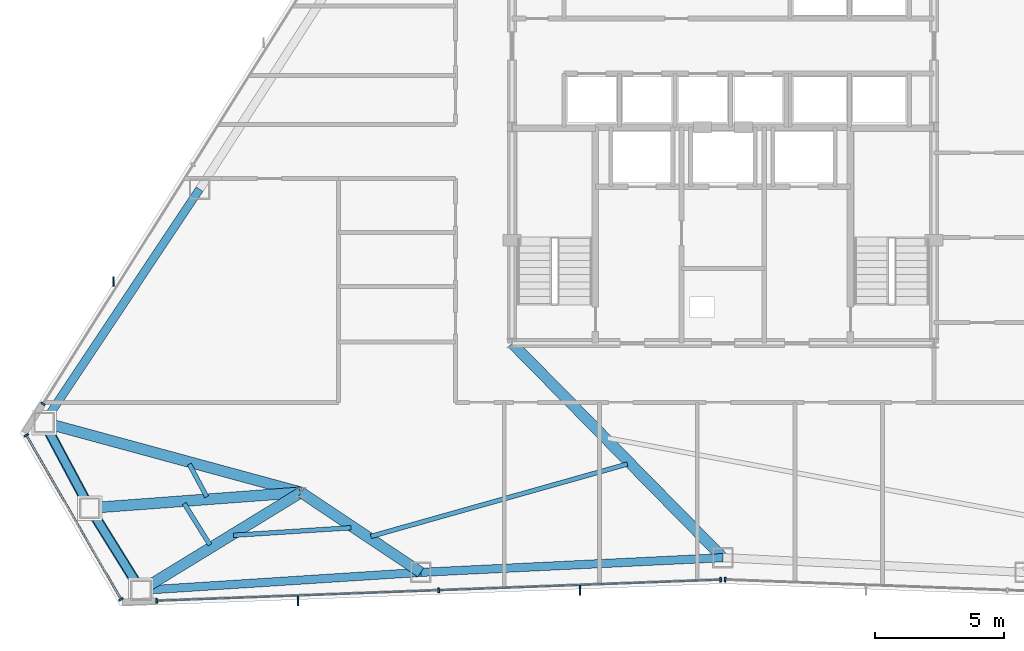
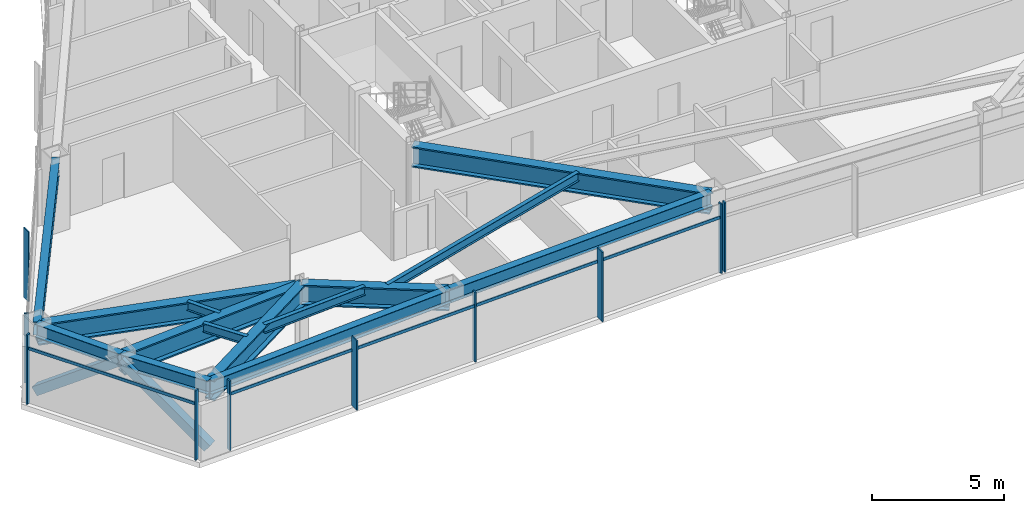
# One storey, part 3 of 13: 14 beams, 14 members, 4 elements without a shape of their own.
"""IFC4 building model written with IfcOpenShell, lengths in metres."""

from ifc_helpers import new_model, si_unit, direction, frame, origin, origin_2d, place, context, subcontext, project, spatial, rectangle, hollow_rectangle, i_section, extrude, source, transform, mapped, material, layer, layer_set, material_profile, profile_set, type_object, type_shapes, element, aggregate, save


model = new_model("IFC4")

# Units and contexts
model_context = context("Model", 3, precision=1e-05, world=origin(), true_north=direction((0.0, 1.0)))
body_context = subcontext(model_context, "Body", "Model", "MODEL_VIEW")
ifc_project = project(units=[si_unit("LENGTHUNIT", "METRE"), si_unit("AREAUNIT", "SQUARE_METRE"), si_unit("VOLUMEUNIT", "CUBIC_METRE"), si_unit("PLANEANGLEUNIT", "RADIAN"), si_unit("MASSUNIT", "GRAM", prefix="KILO")], contexts=[model_context])

# Site, building, storey
site_placement = place(None, origin())
site = spatial("IfcSite", under=ifc_project, at=site_placement, CompositionType="ELEMENT")
building_placement = place(site_placement, origin())
building = spatial("IfcBuilding", under=site, at=building_placement, Name="Varakhsha Concourse Tower", CompositionType="ELEMENT")
storey_placement = place(building_placement, frame((0.0, 0.0, 175.800048828125)))
storey = spatial("IfcBuildingStorey", under=building, at=storey_placement, Name="L50", CompositionType="ELEMENT", Elevation=175.800048828125)

# Beams
ifc_material_1 = material(Name="Structural Steel ASTM A992 Grade 50", Category="steel")
ifc_material_profile_1 = material_profile(ifc_material_1, i_section(OverallWidth=0.177978515625, OverallDepth=0.406982421875, WebThickness=0.008056640625, FlangeThickness=0.012939453125, at=origin_2d()), Name="W16X40")
ifc_profile_set_1 = profile_set([ifc_material_profile_1], Name="Structural Steel ASTM A992 Grade 50")
beam_type_1 = type_object("IfcBeamType", Name="BM-JST-W16X40", PredefinedType="JOIST", material=ifc_profile_set_1)
beam_1_placement = place(storey_placement, frame((19.25732421875, 11.697265625, 3.00634765625), z_axis=(0.471425078209, -0.881906114978, 0.0), x_axis=(0.881906114978, 0.471425078209, 0.0)))
element("IfcBeam", 1, at=beam_1_placement, inside=storey, type_object=beam_type_1, Name="BM-TJST-L50-07", PredefinedType="JOIST", context=body_context, shape_type="SweptSolid", body=[
    extrude(i_section(OverallWidth=0.177978515625, OverallDepth=0.406982421875, WebThickness=0.008056640625, FlangeThickness=0.012939453125, at=origin_2d()), origin(), (0.0, 0.0, 1.0), 1.438232421875),
])
beam_2_placement = place(storey_placement, frame((19.059814453125, 10.165283203125, 3.00634765625), z_axis=(0.528105315956, -0.849178882957, 0.0), x_axis=(0.849178882957, 0.528105315956, 0.0)))
element("IfcBeam", 2, at=beam_2_placement, inside=storey, type_object=beam_type_1, Name="BM-TJST-L50-08", PredefinedType="JOIST", context=body_context, shape_type="SweptSolid", body=[
    extrude(i_section(OverallWidth=0.177978515625, OverallDepth=0.406982421875, WebThickness=0.008056640625, FlangeThickness=0.012939453125, at=origin_2d()), origin(), (0.0, 0.0, 1.0), 1.890380859375),
])
beam_3_placement = place(storey_placement, frame((20.972412109375, 8.930908203125, 3.00634765625), z_axis=(0.997934587168, 0.064238304264, 0.0), x_axis=(-0.064238304264, 0.997934587168, 0.0)))
element("IfcBeam", 3, at=beam_3_placement, inside=storey, type_object=beam_type_1, Name="BM-TJST-L50-09", PredefinedType="JOIST", context=body_context, shape_type="SweptSolid", body=[
    extrude(i_section(OverallWidth=0.177978515625, OverallDepth=0.406982421875, WebThickness=0.008056640625, FlangeThickness=0.012939453125, at=origin_2d()), origin(), (0.0, 0.0, 1.0), 4.575927734375),
])
beam_4_placement = place(storey_placement, frame((26.31298828125, 8.888671875, 3.00634765625), z_axis=(0.962479186496, 0.271355515076, 0.0), x_axis=(-0.271355515076, 0.962479186496, 0.0)))
element("IfcBeam", 4, at=beam_4_placement, inside=storey, type_object=beam_type_1, Name="BM-TJST-L50-10", PredefinedType="JOIST", context=body_context, shape_type="SweptSolid", body=[
    extrude(i_section(OverallWidth=0.177978515625, OverallDepth=0.406982421875, WebThickness=0.008056640625, FlangeThickness=0.012939453125, at=origin_2d()), origin(), (0.0, 0.0, 1.0), 10.36181640625),
])
ifc_material_profile_2 = material_profile(ifc_material_1, i_section(OverallWidth=0.423095703125, OverallDepth=0.947998046875, WebThickness=0.0380859375, FlangeThickness=0.06396484375, at=origin_2d()), Name="W36X302")
ifc_profile_set_2 = profile_set([ifc_material_profile_2], Name="Structural Steel ASTM A992 Grade 50")
beam_type_2 = type_object("IfcBeamType", Name="BM-OUTR-W36X302", PredefinedType="USERDEFINED", material=ifc_profile_set_2)
beam_5_placement = place(storey_placement, frame((23.60009765625, 10.60009765625, 2.73583984375), z_axis=(-0.965004562858, 0.262233090327, 0.0), x_axis=(-0.262233090327, -0.965004562858, 0.0)))
element("IfcBeam", 5, at=beam_5_placement, inside=storey, type_object=beam_type_2, Name="L50 Radial Floor Girder 07", ObjectType="GIRDER", PredefinedType="USERDEFINED", context=body_context, shape_type="SweptSolid", body=[
    extrude(i_section(OverallWidth=0.423095703125, OverallDepth=0.947998046875, WebThickness=0.0380859375, FlangeThickness=0.06396484375, at=origin_2d()), origin(), (0.0, 0.0, 1.0), 10.35009765625),
])
beam_6_placement = place(storey_placement, frame((23.60009765625, 10.60009765625, 2.73583984375), z_axis=(-0.99725755111, -0.074009301804, 0.0), x_axis=(0.074009301804, -0.99725755111, 0.0)))
element("IfcBeam", 6, at=beam_6_placement, inside=storey, type_object=beam_type_2, Name="L50 Radial Floor Girder 08", ObjectType="GIRDER", PredefinedType="USERDEFINED", context=body_context, shape_type="SweptSolid", body=[
    extrude(i_section(OverallWidth=0.423095703125, OverallDepth=0.947998046875, WebThickness=0.0380859375, FlangeThickness=0.06396484375, at=origin_2d()), origin(), (0.0, 0.0, 1.0), 8.233642578125),
])
beam_7_placement = place(storey_placement, frame((23.60009765625, 10.60009765625, 2.73583984375), z_axis=(-0.852809936367, -0.522221420888, 0.0), x_axis=(0.522221420888, -0.852809936367, 0.0)))
element("IfcBeam", 7, at=beam_7_placement, inside=storey, type_object=beam_type_2, Name="L50 Radial Floor Girder 09", ObjectType="GIRDER", PredefinedType="USERDEFINED", context=body_context, shape_type="SweptSolid", body=[
    extrude(i_section(OverallWidth=0.423095703125, OverallDepth=0.947998046875, WebThickness=0.0380859375, FlangeThickness=0.06396484375, at=origin_2d()), origin(), (0.0, 0.0, 1.0), 7.294921875),
])
beam_8_placement = place(storey_placement, frame((23.60009765625, 10.60009765625, 2.73583984375), z_axis=(0.83158036055, -0.555404450782, 0.0), x_axis=(0.555404450782, 0.83158036055, 0.0)))
element("IfcBeam", 8, at=beam_8_placement, inside=storey, type_object=beam_type_2, Name="L50 Radial Floor Girder 10", ObjectType="GIRDER", PredefinedType="USERDEFINED", context=body_context, shape_type="SweptSolid", body=[
    extrude(i_section(OverallWidth=0.423095703125, OverallDepth=0.947998046875, WebThickness=0.0380859375, FlangeThickness=0.06396484375, at=origin_2d()), origin(), (0.0, 0.0, 1.0), 5.598388671875),
])
beam_9_placement = place(storey_placement, frame((31.800048828125, 16.39990234375, 2.73583984375), z_axis=(0.701153218292, -0.713010634197, 0.0), x_axis=(0.713010634197, 0.701153218292, 0.0)))
element("IfcBeam", 9, at=beam_9_placement, inside=storey, type_object=beam_type_2, Name="L50 Radial Floor Girder 11", ObjectType="GIRDER", PredefinedType="USERDEFINED", context=body_context, shape_type="SweptSolid", body=[
    extrude(i_section(OverallWidth=0.423095703125, OverallDepth=0.947998046875, WebThickness=0.0380859375, FlangeThickness=0.06396484375, at=origin_2d()), origin(), (0.0, 0.0, 1.0), 11.695068359375),
])
ifc_material_profile_3 = material_profile(ifc_material_1, i_section(OverallWidth=0.323974609375, OverallDepth=0.611083984375, WebThickness=0.012939453125, FlangeThickness=0.01904296875, at=origin_2d()), Name="W24X104")
ifc_profile_set_3 = profile_set([ifc_material_profile_3], Name="Structural Steel ASTM A992 Grade 50")
beam_type_3 = type_object("IfcBeamType", Name="BM-SPAN-W24X104", PredefinedType="SPANDREL", material=ifc_profile_set_3)
beam_10_placement = place(storey_placement, frame((19.6572265625, 22.383544921875, 2.904541015625), z_axis=(-0.554617486764, -0.832105428041, 0.0), x_axis=(0.832105428041, -0.554617486764, 0.0)))
element("IfcBeam", 10, at=beam_10_placement, inside=storey, type_object=beam_type_3, Name="BM-SPAN-L50-06", PredefinedType="SPANDREL", context=body_context, shape_type="SweptSolid", body=[
    extrude(i_section(OverallWidth=0.323974609375, OverallDepth=0.611083984375, WebThickness=0.012939453125, FlangeThickness=0.01904296875, at=origin_2d()), origin(), (0.0, 0.0, 1.0), 10.899169921875),
])
for number, where, z_axis, x_axis, name in (
    (11, (13.6123046875, 13.314208984375, 2.904541015625), (0.471432003262, -0.881902413139, 0.0), (0.881902413139, 0.471432003262, 0.0), "BM-SPAN-L50-07"),
    (12, (15.388916015625, 9.99072265625, 2.904541015625), (0.528064197342, -0.849204453289, 0.0), (0.849204453289, 0.528064197342, 0.0), "BM-SPAN-L50-08"),
):
    element("IfcBeam", number, at=place(storey_placement, frame(where, z_axis=z_axis, x_axis=x_axis)), inside=storey, type_object=beam_type_3, Name=name, PredefinedType="SPANDREL", context=body_context, shape_type="SweptSolid", body=[
        extrude(i_section(OverallWidth=0.323974609375, OverallDepth=0.611083984375, WebThickness=0.012939453125, FlangeThickness=0.01904296875, at=origin_2d()), origin(), (0.0, 0.0, 1.0), 3.7685546875),
    ])
beam_11_placement = place(storey_placement, frame((17.37890625, 6.79052734375, 2.904541015625), z_axis=(0.997934305556, 0.064242678915, 0.0), x_axis=(-0.064242678915, 0.997934305556, 0.0)))
element("IfcBeam", 13, at=beam_11_placement, inside=storey, type_object=beam_type_3, Name="BM-SPAN-L50-09", PredefinedType="SPANDREL", context=body_context, shape_type="SweptSolid", body=[
    extrude(i_section(OverallWidth=0.323974609375, OverallDepth=0.611083984375, WebThickness=0.012939453125, FlangeThickness=0.01904296875, at=origin_2d()), origin(), (0.0, 0.0, 1.0), 10.899169921875),
])
beam_12_placement = place(storey_placement, frame((28.255615234375, 7.49072265625, 2.904541015625), z_axis=(0.998822016856, 0.048524000694, 0.0), x_axis=(-0.048524000694, 0.998822016856, 0.0)))
element("IfcBeam", 14, at=beam_12_placement, inside=storey, type_object=beam_type_3, Name="BM-SPAN-L50-10", PredefinedType="SPANDREL", context=body_context, shape_type="SweptSolid", body=[
    extrude(i_section(OverallWidth=0.323974609375, OverallDepth=0.611083984375, WebThickness=0.012939453125, FlangeThickness=0.01904296875, at=origin_2d()), origin(), (0.0, 0.0, 1.0), 11.75830078125),
])

# Members
ifc_material_2 = material(Name="Structural Steel ASTM A500 Grade C", Category="steel")
ifc_material_profile_4 = material_profile(ifc_material_2, hollow_rectangle(XDim=0.39990234375, YDim=0.39990234375, WallThickness=0.01611328125, at=origin_2d()), Name="HSS 400x400x16")
ifc_profile_set_4 = profile_set([ifc_material_profile_4], Name="Structural Steel ASTM A500 Grade C")
member_type_1 = type_object("IfcMemberType", Name="MB-TUBE-HSS400", PredefinedType="BRACE", material=ifc_profile_set_4)
shared_shape_1 = source(origin(), body_context, "Body", "SweptSolid", [
    extrude(hollow_rectangle(XDim=0.39990234375, YDim=0.39990234375, WallThickness=0.01611328125, at=origin_2d()), origin(), (0.0, 0.0, 1.0), 4.68896484375),
])
type_shapes(member_type_1, [shared_shape_1])
for number, where, z_axis, x_axis, name in (
    (15, (13.6123046875, 13.314208984375, 0.119873046875), (0.378893427331, -0.708791566066, 0.595024610079), (0.881902413139, 0.471432003262, 0.0), "L50 Wind-Corner Tube Brace B03"),
    (16, (17.37890625, 6.79052734375, 0.119873046875), (-0.424405981571, 0.682506883381, 0.595032702416), (-0.849204453289, -0.528064197342, 0.0), "L50 Wind-Corner Tube Brace B04"),
):
    element("IfcMember", number, at=place(storey_placement, frame(where, z_axis=z_axis, x_axis=x_axis)), inside=storey, type_object=member_type_1, Name=name, PredefinedType="BRACE", context=body_context, shape_type="MappedRepresentation", body=[
        mapped(shared_shape_1, transform((0.0, 0.0, 0.0), scale=1.0)),
    ])

# Curtain wall, member
ifc_material_3 = material(Name="Anodised Bronze Architectural Aluminium AA 6063-T6", Category="aluminium")
ifc_layer = layer(ifc_material_3, 0.2099609375, Name="CW-SYS-04")
ifc_layer_set = layer_set([ifc_layer], Name="Anodised Bronze Architectural Aluminium AA 6063-T6")
curtain_wall_type = type_object("IfcCurtainWallType", Name="CW-SYS-04", PredefinedType="NOTDEFINED", material=ifc_layer_set)
curtain_wall_1_placement = place(storey_placement, origin())
curtain_wall_1 = element("IfcCurtainWall", 17, at=curtain_wall_1_placement, inside=storey, type_object=curtain_wall_type, Name="L50 Crystal Curtain Wall F3", PredefinedType="NOTDEFINED")
ifc_material_profile_5 = material_profile(ifc_material_3, rectangle(XDim=0.06005859375, YDim=0.3798828125, at=origin_2d()), Name="FIN-BRZ-380")
ifc_profile_set_5 = profile_set([ifc_material_profile_5], Name="Anodised Bronze Architectural Aluminium AA 6063-T6")
member_type_2 = type_object("IfcMemberType", Name="FIN-BRZ-380", PredefinedType="USERDEFINED", material=ifc_profile_set_5)
shared_shape_2 = source(origin(), body_context, "Body", "SweptSolid", [
    extrude(rectangle(XDim=0.06005859375, YDim=0.3798828125, at=origin_2d()), origin(), (0.0, 0.0, 1.0), 3.2099609375),
])
type_shapes(member_type_2, [shared_shape_2])
member_1_placement = place(storey_placement, frame((16.312255859375, 18.798828125, 0.0), z_axis=(0.0, 0.0, 1.0), x_axis=(1.0, 0.0, 0.0)))
member_1 = element("IfcMember", 18, at=member_1_placement, type_object=member_type_2, Name="L50 Anodised Bronze Solar Fin F3-1", ObjectType="SOLAR FIN", PredefinedType="USERDEFINED", context=body_context, shape_type="MappedRepresentation", body=[
    mapped(shared_shape_2, transform((0.0, 0.0, 0.0), scale=1.0)),
])

# Curtain wall, members
curtain_wall_2_placement = place(storey_placement, origin())
curtain_wall_2 = element("IfcCurtainWall", 19, at=curtain_wall_2_placement, inside=storey, type_object=curtain_wall_type, Name="L50 Crystal Curtain Wall F5", PredefinedType="NOTDEFINED")
member_2_placement = place(storey_placement, frame((34.440673828125, 6.79638671875, 0.0), z_axis=(0.0, 0.0, 1.0), x_axis=(1.0, 0.0, 0.0)))
member_2 = element("IfcMember", 20, at=member_2_placement, type_object=member_type_2, Name="L50 Anodised Bronze Solar Fin F5-1", ObjectType="SOLAR FIN", PredefinedType="USERDEFINED", context=body_context, shape_type="MappedRepresentation", body=[
    mapped(shared_shape_2, transform((0.0, 0.0, 0.0), scale=1.0)),
])
member_3_placement = place(storey_placement, frame((23.478759765625, 6.386474609375, 0.0), z_axis=(0.0, 0.0, 1.0), x_axis=(1.0, 0.0, 0.0)))
member_3 = element("IfcMember", 21, at=member_3_placement, type_object=member_type_2, Name="L50 Anodised Bronze Solar Fin F5-2", ObjectType="SOLAR FIN", PredefinedType="USERDEFINED", context=body_context, shape_type="MappedRepresentation", body=[
    mapped(shared_shape_2, transform((0.0, 0.0, 0.0), scale=1.0)),
])

# Member
ifc_material_profile_6 = material_profile(ifc_material_3, rectangle(XDim=0.06494140625, YDim=0.179931640625, at=origin_2d()), Name="CWM-180X65")
ifc_profile_set_6 = profile_set([ifc_material_profile_6], Name="Anodised Bronze Architectural Aluminium AA 6063-T6")
member_type_3 = type_object("IfcMemberType", Name="CWM-180X65", PredefinedType="MULLION", material=ifc_profile_set_6)
shared_shape_3 = source(origin(), body_context, "Body", "SweptSolid", [
    extrude(rectangle(XDim=0.06494140625, YDim=0.179931640625, at=origin_2d()), origin(), (0.0, 0.0, 1.0), 3.2099609375),
])
type_shapes(member_type_3, [shared_shape_3])
member_4_placement = place(storey_placement, frame((13.56787109375, 14.045654296875, 0.0), z_axis=(0.0, 0.0, 1.0), x_axis=(0.532022365141, 0.846730301212, 0.0)))
member_4 = element("IfcMember", 22, at=member_4_placement, type_object=member_type_3, Name="CW-L50-F3 Mullion 00", PredefinedType="MULLION", context=body_context, shape_type="MappedRepresentation", body=[
    mapped(shared_shape_3, transform((0.0, 0.0, 0.0), scale=1.0)),
])

aggregate(curtain_wall_1, [member_4, member_1])

# Curtain wall, members
curtain_wall_3_placement = place(storey_placement, origin())
curtain_wall_3 = element("IfcCurtainWall", 23, at=curtain_wall_3_placement, inside=storey, type_object=curtain_wall_type, Name="L50 Chamfer Curtain Wall F4", PredefinedType="NOTDEFINED")
member_5_placement = place(storey_placement, frame((16.60546875, 6.44384765625, 0.0), z_axis=(0.0, 0.0, 1.0), x_axis=(-0.499996976998, 0.866027149108, 0.0)))
member_5 = element("IfcMember", 24, at=member_5_placement, type_object=member_type_3, Name="CW-L50-F4 Mullion 00", PredefinedType="MULLION", context=body_context, shape_type="MappedRepresentation", body=[
    mapped(shared_shape_3, transform((0.0, 0.0, 0.0), scale=1.0)),
])
member_6_placement = place(storey_placement, frame((12.925537109375, 12.81787109375, 0.0), z_axis=(0.0, 0.0, 1.0), x_axis=(-0.499996976998, 0.866027149108, 0.0)))
member_6 = element("IfcMember", 25, at=member_6_placement, type_object=member_type_3, Name="CW-L50-F4 Mullion 01", PredefinedType="MULLION", context=body_context, shape_type="MappedRepresentation", body=[
    mapped(shared_shape_3, transform((0.0, 0.0, 0.0), scale=1.0)),
])

# Member
member_7_placement = place(storey_placement, frame((39.9140625, 7.206298828125, 0.0), z_axis=(0.0, 0.0, 1.0), x_axis=(-0.999301264048, -0.037376244769, 0.0)))
member_7 = element("IfcMember", 26, at=member_7_placement, type_object=member_type_3, Name="CW-L50-F5 Mullion 00", PredefinedType="MULLION", context=body_context, shape_type="MappedRepresentation", body=[
    mapped(shared_shape_3, transform((0.0, 0.0, 0.0), scale=1.0)),
])

member_8_placement = place(storey_placement, frame((28.9521484375, 6.79638671875, 0.0), z_axis=(0.0, 0.0, 1.0), x_axis=(-0.999301264048, -0.037376244769, 0.0)))
member_8 = element("IfcMember", 27, at=member_8_placement, type_object=member_type_3, Name="CW-L50-F5 Mullion 01", PredefinedType="MULLION", context=body_context, shape_type="MappedRepresentation", body=[
    mapped(shared_shape_3, transform((0.0, 0.0, 0.0), scale=1.0)),
])

member_9_placement = place(storey_placement, frame((17.989990234375, 6.38623046875, 0.0), z_axis=(0.0, 0.0, 1.0), x_axis=(-0.999301264048, -0.037376244769, 0.0)))
member_9 = element("IfcMember", 28, at=member_9_placement, type_object=member_type_3, Name="CW-L50-F5 Mullion 02", PredefinedType="MULLION", context=body_context, shape_type="MappedRepresentation", body=[
    mapped(shared_shape_3, transform((0.0, 0.0, 0.0), scale=1.0)),
])

# Curtain wall, member
curtain_wall_4_placement = place(storey_placement, origin())
curtain_wall_4 = element("IfcCurtainWall", 29, at=curtain_wall_4_placement, inside=storey, type_object=curtain_wall_type, Name="L50 Crystal Curtain Wall F6", PredefinedType="NOTDEFINED")
member_10_placement = place(storey_placement, frame((40.0859375, 7.206298828125, 0.0), z_axis=(0.0, 0.0, 1.0), x_axis=(-0.999301264048, 0.037376244769, 0.0)))
member_10 = element("IfcMember", 30, at=member_10_placement, type_object=member_type_3, Name="CW-L50-F6 Mullion 02", PredefinedType="MULLION", context=body_context, shape_type="MappedRepresentation", body=[
    mapped(shared_shape_3, transform((0.0, 0.0, 0.0), scale=1.0)),
])
aggregate(curtain_wall_4, [member_10])

# Member
ifc_material_profile_7 = material_profile(ifc_material_3, rectangle(XDim=0.06005859375, YDim=0.139892578125, at=origin_2d()), Name="CWT-140X60")
ifc_profile_set_7 = profile_set([ifc_material_profile_7], Name="Anodised Bronze Architectural Aluminium AA 6063-T6")
member_type_4 = type_object("IfcMemberType", Name="CWT-140X60", PredefinedType="USERDEFINED", material=ifc_profile_set_7)
shared_shape_4 = source(origin(), body_context, "Body", "SweptSolid", [
    extrude(rectangle(XDim=0.06005859375, YDim=0.139892578125, at=origin_2d()), origin(), (0.0, 0.0, 1.0), 21.939453125),
])
member_11_placement = place(storey_placement, frame((39.9140625, 7.206298828125, 2.56005859375), z_axis=(-0.999301168886, -0.037378788948, 0.0), x_axis=(0.037378788948, -0.999301168886, 0.0)))
member_11 = element("IfcMember", 31, at=member_11_placement, type_object=member_type_4, Name="CW-L50-F5 Transom 01", ObjectType="TRANSOM", PredefinedType="USERDEFINED", context=body_context, shape_type="MappedRepresentation", body=[
    mapped(shared_shape_4, transform((0.0, 0.0, 0.0), scale=1.0)),
])

aggregate(curtain_wall_2, [member_7, member_8, member_9, member_11, member_2, member_3])

shared_shape_5 = source(origin(), body_context, "Body", "SweptSolid", [
    extrude(rectangle(XDim=0.06005859375, YDim=0.139892578125, at=origin_2d()), origin(), (0.0, 0.0, 1.0), 7.360107421875),
])
type_shapes(member_type_4, [shared_shape_4, shared_shape_5])
member_12_placement = place(storey_placement, frame((16.60546875, 6.44384765625, 2.56005859375), z_axis=(-0.499988535315, 0.866032022822, 0.0), x_axis=(-0.866032022822, -0.499988535315, 0.0)))
member_12 = element("IfcMember", 32, at=member_12_placement, type_object=member_type_4, Name="CW-L50-F4 Transom 01", ObjectType="TRANSOM", PredefinedType="USERDEFINED", context=body_context, shape_type="MappedRepresentation", body=[
    mapped(shared_shape_5, transform((0.0, 0.0, 0.0), scale=1.0)),
])

aggregate(curtain_wall_3, [member_5, member_6, member_12])

save(model, "model.ifc")
